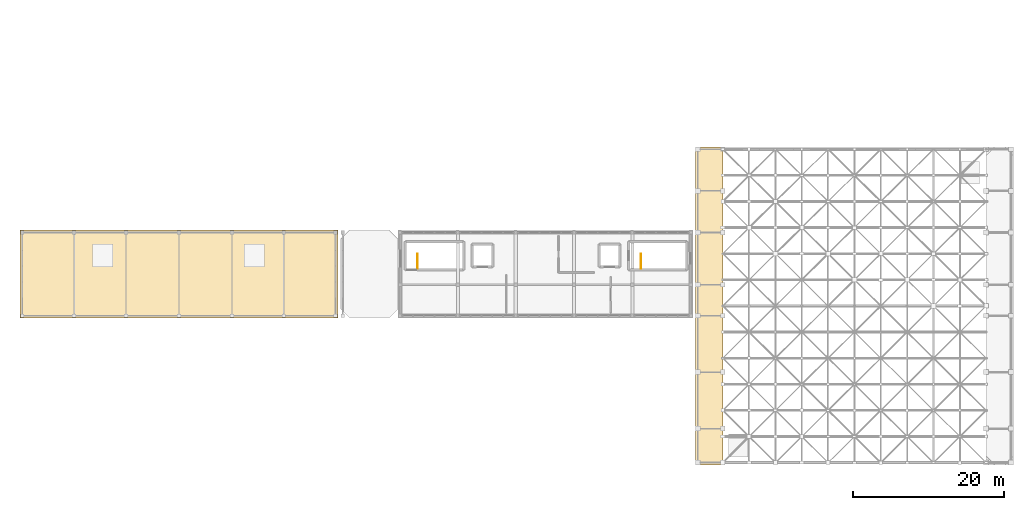
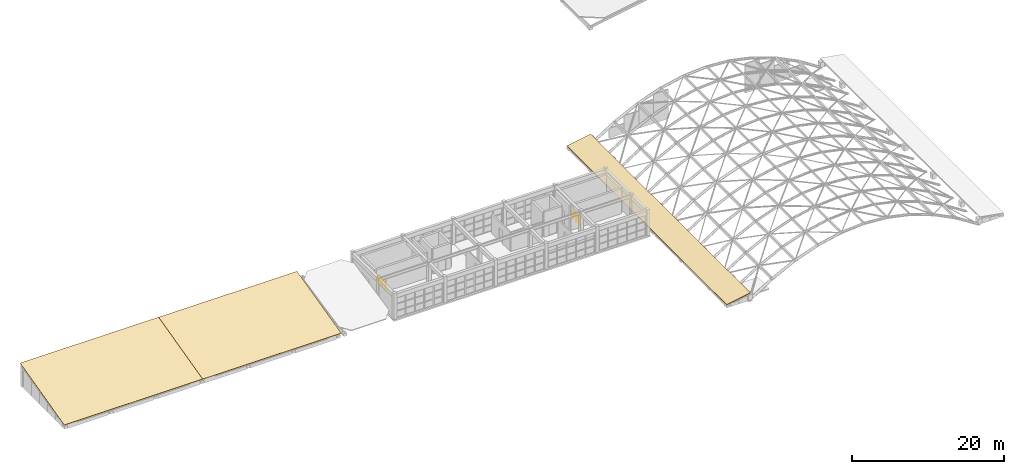
# One storey, part 50 of 52: 3 coverings, 2 railings, 2 elements without a shape of their own.
"""IFC4 building model written with IfcOpenShell, lengths in metres."""

from ifc_helpers import new_model, si_unit, direction, frame, origin, origin_2d, place, context, subcontext, project, spatial, polyline, circle, outline, extrude, material, layer, layer_set, type_object, element, aggregate, save


model = new_model("IFC4")

# Units and contexts
model_context = context("Model", 3, precision=1e-05, world=origin(), true_north=direction((0.0, 1.0)))
body_context = subcontext(model_context, "Body", "Model", "MODEL_VIEW")
ifc_project = project(units=[si_unit("LENGTHUNIT", "METRE"), si_unit("AREAUNIT", "SQUARE_METRE"), si_unit("VOLUMEUNIT", "CUBIC_METRE"), si_unit("PLANEANGLEUNIT", "RADIAN"), si_unit("MASSUNIT", "GRAM", prefix="KILO")], contexts=[model_context])

# Site, building, storey
site_placement = place(None, origin())
site = spatial("IfcSite", under=ifc_project, at=site_placement, CompositionType="ELEMENT")
building_placement = place(site_placement, origin())
building = spatial("IfcBuilding", under=site, at=building_placement, Name="Candilejo Ridge Gondola Terminal", CompositionType="ELEMENT")
storey_placement = place(building_placement, frame((0.0, 0.0, 18.60009765625)))
storey = spatial("IfcBuildingStorey", under=building, at=storey_placement, Name="L04", CompositionType="ELEMENT", Elevation=18.60009765625)

# Roof, coverings
ifc_material_1 = material(Name="Standing-seam Al-Mg-Mn alloy roofing EN AW-3004 1.0 mm", Category="aluminum")
roof_type = type_object("IfcRoofType", Name="ARC-ROOF-SHED", PredefinedType="SHED_ROOF", material=ifc_material_1)
roof_1_placement = place(storey_placement, origin())
roof_1 = element("IfcRoof", 1, at=roof_1_placement, inside=storey, type_object=roof_type, Name="Standing-seam shed roof ROOF-SHED-V2", PredefinedType="SHED_ROOF")
ifc_material_2 = material(Name="Standing-seam Al-Mg-Mn alloy roofing EN AW-3004 1.0 mm", Category="aluminum")
ifc_layer = layer(ifc_material_2, 0.06494140625)
ifc_layer_set = layer_set([ifc_layer], Name="ARC-COV-KALZIP")
covering_type = type_object("IfcCoveringType", Name="ARC-COV-KALZIP", PredefinedType="ROOFING", material=ifc_layer_set)
covering_1_placement = place(storey_placement, frame((44.35009765625, 25.39990234375, 0.71484375), z_axis=(0.0, -0.241930148809, 0.970293668483), x_axis=(1.0, 0.0, 0.0)))
covering_1 = element("IfcCovering", 2, at=covering_1_placement, type_object=covering_type, Name="Kalzip standing-seam roof sheet RF-V2-WEST", PredefinedType="ROOFING", context=body_context, shape_type="SweptSolid", body=[
    extrude(outline(polyline([(0.0, 0.0), (21.0, 0.0), (21.0, 11.955244100883398), (0.0, 11.955244100883398), (0.0, 0.0)])), origin(), (0.0, 0.0, -1.0), 0.06494140625),
])
covering_2_placement = place(storey_placement, frame((65.35009765625, 25.39990234375, 0.71484375), z_axis=(0.0, -0.241930148809, 0.970293668483), x_axis=(1.0, 0.0, 0.0)))
covering_2 = element("IfcCovering", 3, at=covering_2_placement, type_object=covering_type, Name="Kalzip standing-seam roof sheet RF-V2-EAST", PredefinedType="ROOFING", context=body_context, shape_type="SweptSolid", body=[
    extrude(outline(polyline([(0.0, 0.0), (21.0, 0.0), (21.0, 11.955244100883398), (0.0, 11.955244100883398), (0.0, 0.0)])), origin(), (0.0, 0.0, -1.0), 0.06494140625),
])
aggregate(roof_1, [covering_1, covering_2])

# Roof, covering
roof_2_placement = place(storey_placement, origin())
roof_2 = element("IfcRoof", 4, at=roof_2_placement, inside=storey, type_object=roof_type, Name="Standing-seam shed roof ROOF-SHED-V4-AISLES", PredefinedType="SHED_ROOF")
covering_3_placement = place(storey_placement, frame((133.60009765625, 6.0, 0.514892578125), z_axis=(-0.173651977996, 0.0, 0.984807082904), x_axis=(0.984807082904, 0.0, 0.173651977996)))
covering_3 = element("IfcCovering", 5, at=covering_3_placement, type_object=covering_type, Name="Kalzip standing-seam roof sheet RF-V4-WEST", PredefinedType="ROOFING", context=body_context, shape_type="SweptSolid", body=[
    extrude(outline(polyline([(0.0, 0.0), (3.655389545949831, 0.0), (3.655389545949831, 42.0), (0.0, 42.0), (0.0, 0.0)])), origin(), (0.0, 0.0, -1.0), 0.06494140625),
])
aggregate(roof_2, [covering_3])

# Railings
ifc_material_3 = material(Name="Hot-dip galvanised steel ASTM A500 Grade B", Category="steel")
railing_type = type_object("IfcRailingType", Name="ARC-STAIR-GUARD-1100", PredefinedType="GUARDRAIL", material=ifc_material_3)
for number, where, name in (
    (6, (96.8798828125, 31.947509765625, 0.0), "Arrival well guard ST-V3A-L03-ARR-L04"),
    (7, (126.3798828125, 31.947509765625, 0.0), "Arrival well guard ST-V3B-L03-ARR-L04"),
):
    element("IfcRailing", number, at=place(storey_placement, frame(where)), inside=storey, type_object=railing_type, Name=name, PredefinedType="GUARDRAIL", context=body_context, shape_type="SweptSolid", body=[
        extrude(circle(Radius=0.02392578125, at=origin_2d()), frame((0.0, 0.0, 1.076171875), z_axis=(0.0, 1.0, 0.0), x_axis=(-1.0, 0.0, 0.0)), (0.0, 0.0, 1.0), 1.955078125),
        extrude(circle(Radius=0.02099609375, at=origin_2d()), origin(), (0.0, 0.0, 1.0), 1.052001953125),
        extrude(circle(Radius=0.02099609375, at=origin_2d()), frame((0.0, 0.9775390625, 0.0)), (0.0, 0.0, 1.0), 1.052001953125),
        extrude(circle(Radius=0.02099609375, at=origin_2d()), frame((0.0, 1.955078125, 0.0)), (0.0, 0.0, 1.0), 1.052001953125),
    ])

save(model, "model.ifc")
